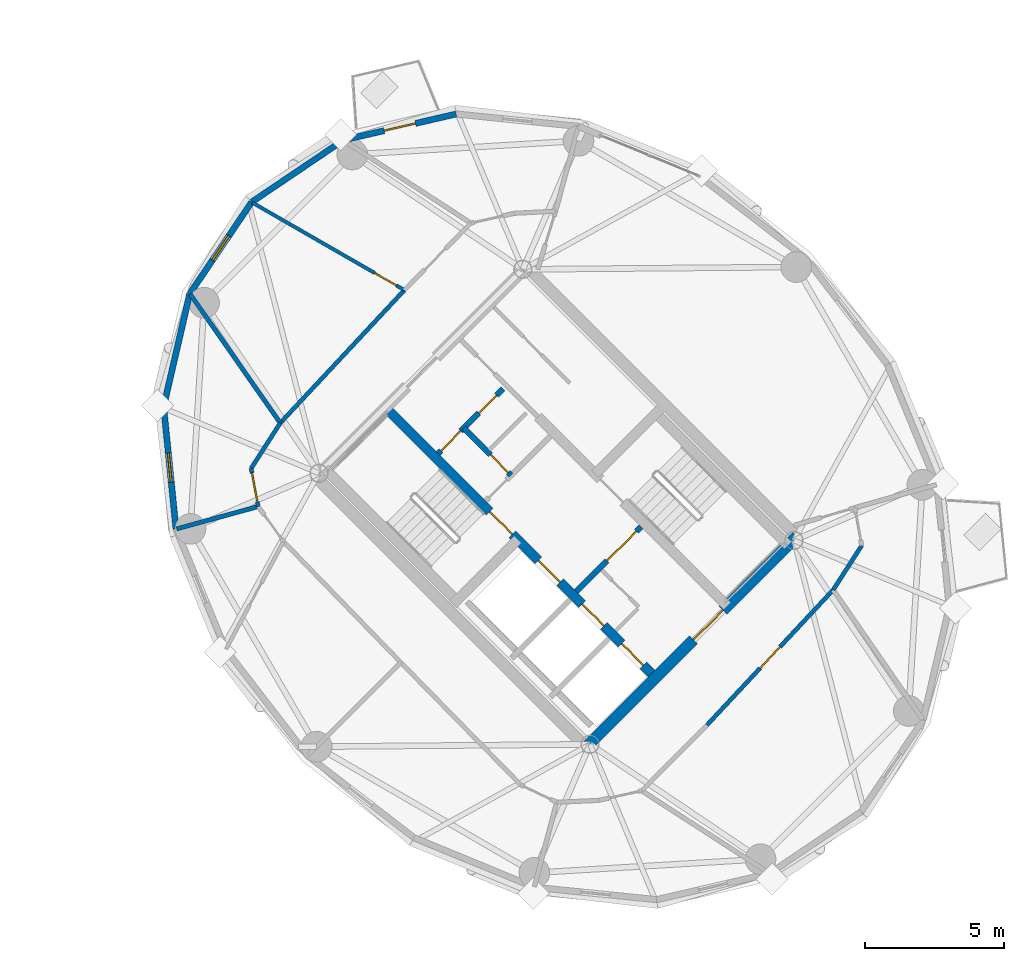
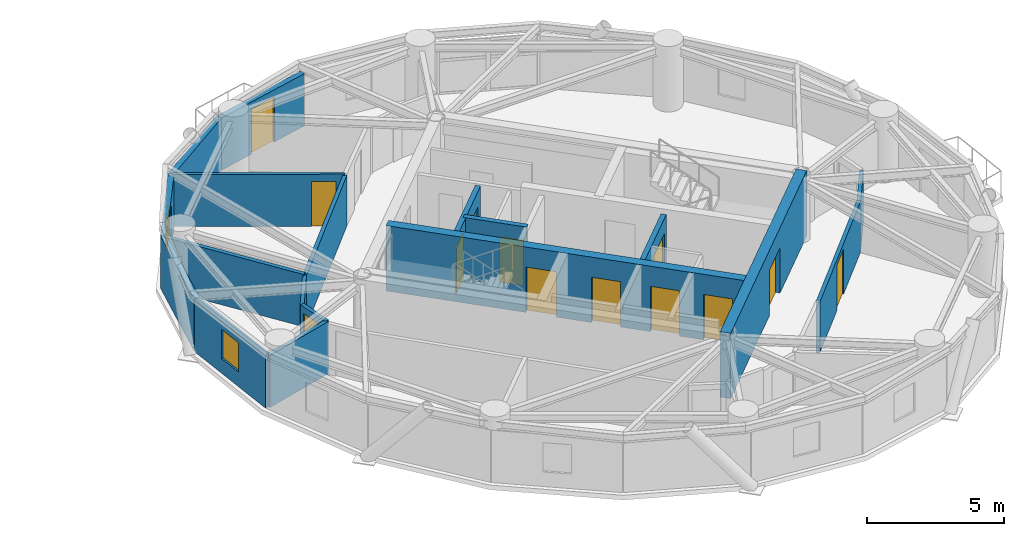
# One storey, part 11 of 16: 18 walls, 13 doors, 2 windows, 15 openings.
"""IFC4 building model written with IfcOpenShell, lengths in metres."""

from ifc_helpers import new_model, si_unit, direction, frame, frame_2d, origin, place, context, subcontext, project, spatial, rectangle, extrude, source, transform, mapped, material, layer, layer_set, type_object, element, fill, save


model = new_model("IFC4")

# Units and contexts
model_context = context("Model", 3, precision=1e-05, world=origin(), true_north=direction((0.0, 1.0)))
body_context = subcontext(model_context, "Body", "Model", "MODEL_VIEW")
ifc_project = project(units=[si_unit("LENGTHUNIT", "METRE"), si_unit("AREAUNIT", "SQUARE_METRE"), si_unit("VOLUMEUNIT", "CUBIC_METRE"), si_unit("PLANEANGLEUNIT", "RADIAN"), si_unit("MASSUNIT", "GRAM", prefix="KILO")], contexts=[model_context])

# Site, building, storey
site_placement = place(None, origin())
site = spatial("IfcSite", under=ifc_project, at=site_placement, CompositionType="ELEMENT")
building_placement = place(site_placement, origin())
building = spatial("IfcBuilding", under=site, at=building_placement, Name="Cununo Teusaquillo Station Towers", CompositionType="ELEMENT")
storey_placement = place(building_placement, frame((0.0, 0.0, 208.300048828125)))
storey = spatial("IfcBuildingStorey", under=building, at=storey_placement, Name="L66", CompositionType="ELEMENT", Elevation=208.300048828125)

# Wall, openings, doors
ifc_material_1 = material(Name="Concrete C50/60", Category="concrete")
ifc_layer_1 = layer(ifc_material_1, 0.35009765625)
ifc_layer_set_1 = layer_set([ifc_layer_1], Name="Concrete C50/60")
wall_type_1 = type_object("IfcWallType", Name="WL-CORE-350", PredefinedType="SHEAR", material=ifc_layer_set_1)
wall_1_placement = place(storey_placement, frame((61.060302734375, 18.372802734375, 0.0), z_axis=(0.0, 0.0, 1.0), x_axis=(-0.707106781187, 0.707106781187, 0.0)))
wall_1 = element("IfcWall", 1, at=wall_1_placement, inside=storey, type_object=wall_type_1, Name="L66 Tower B Core Shear Wall IW", PredefinedType="SHEAR", context=body_context, shape_type="SweptSolid", body=[
    extrude(rectangle(XDim=13.7001953125, YDim=0.35009765625, at=frame_2d((6.85009765625, 0.0))), origin(), (0.0, 0.0, 1.0), 2.909912109375),
])
shared_shape_1 = source(origin(), body_context, "Body", "SweptSolid", [
    extrude(rectangle(XDim=1.10009765625, YDim=2.014892578125, at=frame_2d((0.550048828125, 1.00732421875))), frame((0.0, 0.18505859375, 0.0), z_axis=(0.0, -1.0, 0.0), x_axis=(1.0, 0.0, 0.0)), (0.0, 0.0, 1.0), 0.3701171875),
])
opening_1_placement = place(wall_1_placement, frame((4.85009765625, 0.0, 0.0)))
opening_1 = element("IfcOpeningElement", 2, at=opening_1_placement, cuts=wall_1, Name="Opening LD-01", PredefinedType="OPENING", context=body_context, shape_type="MappedRepresentation", body=[
    mapped(shared_shape_1, transform((0.0, 0.0, 0.0), x_axis=(1.0, 0.0, 0.0), y_axis=(0.0, 1.0, 0.0), z_axis=(0.0, 0.0, 1.0), scale=1.0)),
])
opening_2_placement = place(wall_1_placement, frame((0.625, 0.0, 0.0)))
opening_2 = element("IfcOpeningElement", 3, at=opening_2_placement, cuts=wall_1, Name="Opening LD-01", PredefinedType="OPENING", context=body_context, shape_type="MappedRepresentation", body=[
    mapped(shared_shape_1, transform((0.0, 0.0, 0.0), x_axis=(1.0, 0.0, 0.0), y_axis=(0.0, 1.0, 0.0), z_axis=(0.0, 0.0, 1.0), scale=1.0)),
])
opening_3_placement = place(wall_1_placement, frame((2.625, 0.0, 0.0)))
opening_3 = element("IfcOpeningElement", 4, at=opening_3_placement, cuts=wall_1, Name="Opening LD-01", PredefinedType="OPENING", context=body_context, shape_type="MappedRepresentation", body=[
    mapped(shared_shape_1, transform((0.0, 0.0, 0.0), x_axis=(1.0, 0.0, 0.0), y_axis=(0.0, 1.0, 0.0), z_axis=(0.0, 0.0, 1.0), scale=1.0)),
])
shared_shape_2 = source(origin(), body_context, "Body", "SweptSolid", [
    extrude(rectangle(XDim=1.14990234375, YDim=2.02001953125, at=frame_2d((0.574951171875, 1.010009765625))), frame((0.0, 0.18505859375, 0.0), z_axis=(0.0, -1.0, 0.0), x_axis=(1.0, 0.0, 0.0)), (0.0, 0.0, 1.0), 0.3701171875),
])
opening_4_placement = place(wall_1_placement, frame((7.27001953125, 0.0, 0.0)))
opening_4 = element("IfcOpeningElement", 5, at=opening_4_placement, cuts=wall_1, Name="Opening D-ST1", PredefinedType="OPENING", context=body_context, shape_type="MappedRepresentation", body=[
    mapped(shared_shape_2, transform((0.0, 0.0, 0.0), x_axis=(1.0, 0.0, 0.0), y_axis=(0.0, 1.0, 0.0), z_axis=(0.0, 0.0, 1.0), scale=1.0)),
])
ifc_material_2 = material(Name="Galvanised fire-rated hollow steel door assembly", Category="steel")
door_type_1 = type_object("IfcDoorType", Name="DR-LIFT-1100", OperationType="SLIDING_TO_LEFT", PredefinedType="DOOR", material=ifc_material_2)
shared_shape_3 = source(origin(), body_context, "Body", "SweptSolid", [
    extrude(rectangle(XDim=1.10009765625, YDim=2.014892578125, at=frame_2d((0.550048828125, 1.00732421875))), frame((0.0, 0.02490234375, 0.0), z_axis=(0.0, -1.0, 0.0), x_axis=(1.0, 0.0, 0.0)), (0.0, 0.0, 1.0), 0.050048828125),
])
door_1_placement = place(opening_1_placement, origin())
door_1 = element("IfcDoor", 6, at=door_1_placement, inside=storey, type_object=door_type_1, Name="L66 Lift FL-T2 Sliding Landing Door", OperationType="SLIDING_TO_RIGHT", OverallHeight=2.014892578125, OverallWidth=1.10009765625, PredefinedType="DOOR", context=body_context, shape_type="MappedRepresentation", body=[
    mapped(shared_shape_3, transform((0.0, 0.0, 0.0), x_axis=(1.0, 0.0, 0.0), y_axis=(0.0, 1.0, 0.0), z_axis=(0.0, 0.0, 1.0), scale=1.0)),
])
fill(opening_1, door_1)
door_2_placement = place(opening_2_placement, origin())
door_2 = element("IfcDoor", 7, at=door_2_placement, inside=storey, type_object=door_type_1, Name="L66 Lift PL-T2-H1 Sliding Landing Door", OperationType="SLIDING_TO_RIGHT", OverallHeight=2.014892578125, OverallWidth=1.10009765625, PredefinedType="DOOR", context=body_context, shape_type="MappedRepresentation", body=[
    mapped(shared_shape_3, transform((0.0, 0.0, 0.0), x_axis=(1.0, 0.0, 0.0), y_axis=(0.0, 1.0, 0.0), z_axis=(0.0, 0.0, 1.0), scale=1.0)),
])
fill(opening_2, door_2)
door_3_placement = place(opening_3_placement, origin())
door_3 = element("IfcDoor", 8, at=door_3_placement, inside=storey, type_object=door_type_1, Name="L66 Lift PL-T2-H2 Sliding Landing Door", OperationType="SLIDING_TO_LEFT", OverallHeight=2.014892578125, OverallWidth=1.10009765625, PredefinedType="DOOR", context=body_context, shape_type="MappedRepresentation", body=[
    mapped(shared_shape_3, transform((0.0, 0.0, 0.0), x_axis=(1.0, 0.0, 0.0), y_axis=(0.0, 1.0, 0.0), z_axis=(0.0, 0.0, 1.0), scale=1.0)),
])
fill(opening_3, door_3)
ifc_material_3 = material(Name="Galvanised fire-rated hollow steel door assembly", Category="steel")
door_type_2 = type_object("IfcDoorType", Name="DR-STAIR-1150", OperationType="NOTDEFINED", PredefinedType="DOOR", material=ifc_material_3)
shared_shape_4 = source(origin(), body_context, "Body", "SweptSolid", [
    extrude(rectangle(XDim=1.14990234375, YDim=2.02001953125, at=frame_2d((0.574951171875, 1.010009765625))), frame((0.0, 0.02490234375, 0.0), z_axis=(0.0, -1.0, 0.0), x_axis=(1.0, 0.0, 0.0)), (0.0, 0.0, 1.0), 0.050048828125),
])
door_4_placement = place(opening_4_placement, origin())
door_4 = element("IfcDoor", 9, at=door_4_placement, inside=storey, type_object=door_type_2, Name="L66 Tower B Exit Stair 1 Fire Door", OperationType="SINGLE_SWING_LEFT", OverallHeight=2.02001953125, OverallWidth=1.14990234375, PredefinedType="DOOR", context=body_context, shape_type="MappedRepresentation", body=[
    mapped(shared_shape_4, transform((0.0, 0.0, 0.0), x_axis=(1.0, 0.0, 0.0), y_axis=(0.0, 1.0, 0.0), z_axis=(0.0, 0.0, 1.0), scale=1.0)),
])
fill(opening_4, door_4)

# Wall, opening, door
ifc_material_4 = material(Name="Concrete C50/60", Category="concrete")
ifc_layer_2 = layer(ifc_material_4, 0.39990234375)
ifc_layer_set_2 = layer_set([ifc_layer_2], Name="Concrete C50/60")
wall_type_2 = type_object("IfcWallType", Name="WL-CORE-400", PredefinedType="SHEAR", material=ifc_layer_set_2)
wall_2_placement = place(storey_placement, frame((58.560791015625, 15.873291015625, 0.0), z_axis=(0.0, 0.0, 1.0), x_axis=(0.707106781187, 0.707106781187, 0.0)))
wall_2 = element("IfcWall", 10, at=wall_2_placement, inside=storey, type_object=wall_type_2, Name="L66 Tower B Core Shear Wall S", PredefinedType="SHEAR", context=body_context, shape_type="SweptSolid", body=[
    extrude(rectangle(XDim=10.69970703125, YDim=0.39990234375, at=frame_2d((5.349853515625, 0.0))), origin(), (0.0, 0.0, 1.0), 2.909912109375),
])
shared_shape_5 = source(origin(), body_context, "Body", "SweptSolid", [
    extrude(rectangle(XDim=1.5, YDim=2.02001953125, at=frame_2d((0.75, 1.010009765625))), frame((0.0, 0.2099609375, 0.0), z_axis=(0.0, -1.0, 0.0), x_axis=(1.0, 0.0, 0.0)), (0.0, 0.0, 1.0), 0.419921875),
])
opening_5_placement = place(wall_2_placement, frame((5.449951171875, 0.0, 0.0)))
opening_5 = element("IfcOpeningElement", 11, at=opening_5_placement, cuts=wall_2, Name="Opening D-LB1", PredefinedType="OPENING", context=body_context, shape_type="MappedRepresentation", body=[
    mapped(shared_shape_5, transform((0.0, 0.0, 0.0), x_axis=(1.0, 0.0, 0.0), y_axis=(0.0, 1.0, 0.0), z_axis=(0.0, 0.0, 1.0), scale=1.0)),
])
ifc_material_5 = material(Name="Galvanised fire-rated hollow steel door assembly", Category="steel")
door_type_3 = type_object("IfcDoorType", Name="DR-LOBBY-1500", OperationType="DOUBLE_DOOR_SINGLE_SWING", PredefinedType="DOOR", material=ifc_material_5)
shared_shape_6 = source(origin(), body_context, "Body", "SweptSolid", [
    extrude(rectangle(XDim=1.5, YDim=2.02001953125, at=frame_2d((0.75, 1.010009765625))), frame((0.0, 0.02490234375, 0.0), z_axis=(0.0, -1.0, 0.0), x_axis=(1.0, 0.0, 0.0)), (0.0, 0.0, 1.0), 0.050048828125),
])
door_5_placement = place(opening_5_placement, origin())
door_5 = element("IfcDoor", 12, at=door_5_placement, inside=storey, type_object=door_type_3, Name="L66 Tower B South Core Lift Lobby Door", OperationType="DOUBLE_DOOR_SINGLE_SWING", OverallHeight=2.02001953125, OverallWidth=1.5, PredefinedType="DOOR", context=body_context, shape_type="MappedRepresentation", body=[
    mapped(shared_shape_6, transform((0.0, 0.0, 0.0), x_axis=(1.0, 0.0, 0.0), y_axis=(0.0, 1.0, 0.0), z_axis=(0.0, 0.0, 1.0), scale=1.0)),
])
fill(opening_5, door_5)

ifc_material_6 = material(Name="Precast concrete C40/50", Category="concrete")
ifc_layer_3 = layer(ifc_material_6, 0.219970703125)
ifc_layer_set_3 = layer_set([ifc_layer_3], Name="Precast concrete C40/50")
wall_type_3 = type_object("IfcWallType", Name="WL-EXT-220", PredefinedType="SOLIDWALL", material=ifc_layer_set_3)
wall_3_placement = place(storey_placement, frame((49.856201171875, 37.663330078125, 0.0), z_axis=(0.0, 0.0, 1.0), x_axis=(0.974249228678, 0.225473813158, 0.0)))
wall_3 = element("IfcWall", 13, at=wall_3_placement, inside=storey, type_object=wall_type_3, Name="L66 Tower B Exterior Facade Wall C03", PredefinedType="SOLIDWALL", context=body_context, shape_type="SweptSolid", body=[
    extrude(rectangle(XDim=4.150390625, YDim=0.219970703125, at=frame_2d((2.0751953125, 0.0))), origin(), (0.0, 0.0, 1.0), 2.322021484375),
])
shared_shape_7 = source(origin(), body_context, "Body", "SweptSolid", [
    extrude(rectangle(XDim=1.14990234375, YDim=2.0048828125, at=frame_2d((0.574951171875, 1.00244140625))), frame((0.0, 0.119873046875, 0.0), z_axis=(0.0, -1.0, 0.0), x_axis=(1.0, 0.0, 0.0)), (0.0, 0.0, 1.0), 0.239990234375),
])
opening_6_placement = place(wall_3_placement, frame((1.5, 0.0, 0.0)))
opening_6 = element("IfcOpeningElement", 14, at=opening_6_placement, cuts=wall_3, Name="Opening ED-03", PredefinedType="OPENING", context=body_context, shape_type="MappedRepresentation", body=[
    mapped(shared_shape_7, transform((0.0, 0.0, 0.0), x_axis=(1.0, 0.0, 0.0), y_axis=(0.0, 1.0, 0.0), z_axis=(0.0, 0.0, 1.0), scale=1.0)),
])
ifc_material_7 = material(Name="Anodised dark bronze aluminium EN AW-6063-T6", Category="aluminium")
door_type_4 = type_object("IfcDoorType", Name="DR-EXT-BAL", OperationType="NOTDEFINED", PredefinedType="DOOR", material=ifc_material_7)
shared_shape_8 = source(origin(), body_context, "Body", "SweptSolid", [
    extrude(rectangle(XDim=1.14990234375, YDim=2.0048828125, at=frame_2d((0.574951171875, 1.00244140625))), frame((0.0, 0.02490234375, 0.0), z_axis=(0.0, -1.0, 0.0), x_axis=(1.0, 0.0, 0.0)), (0.0, 0.0, 1.0), 0.050048828125),
])
door_6_placement = place(opening_6_placement, origin())
door_6 = element("IfcDoor", 15, at=door_6_placement, inside=storey, type_object=door_type_4, Name="L66 Tower B Tree Balcony Door C03", OperationType="SINGLE_SWING_LEFT", OverallHeight=2.0048828125, OverallWidth=1.14990234375, PredefinedType="DOOR", context=body_context, shape_type="MappedRepresentation", body=[
    mapped(shared_shape_8, transform((0.0, 0.0, 0.0), x_axis=(1.0, 0.0, 0.0), y_axis=(0.0, 1.0, 0.0), z_axis=(0.0, 0.0, 1.0), scale=1.0)),
])
fill(opening_6, door_6)

# Wall
wall_4_placement = place(storey_placement, frame((46.56103515625, 35.43896484375, 0.0), z_axis=(0.0, 0.0, 1.0), x_axis=(0.828833723692, 0.559495003079, 0.0)))
element("IfcWall", 16, at=wall_4_placement, inside=storey, type_object=wall_type_3, Name="L66 Tower B Exterior Facade Wall C04", PredefinedType="SOLIDWALL", context=body_context, shape_type="SweptSolid", body=[
    extrude(rectangle(XDim=3.9755859375, YDim=0.219970703125, at=frame_2d((1.98779296875, 0.0))), origin(), (0.0, 0.0, 1.0), 2.322021484375),
])

# Wall, opening, window
wall_5_placement = place(storey_placement, frame((44.336669921875, 32.143798828125, 0.0), z_axis=(0.0, 0.0, 1.0), x_axis=(0.559495003079, 0.828833723692, 0.0)))
wall_5 = element("IfcWall", 17, at=wall_5_placement, inside=storey, type_object=wall_type_3, Name="L66 Tower B Exterior Facade Wall C05", PredefinedType="SOLIDWALL", context=body_context, shape_type="SweptSolid", body=[
    extrude(rectangle(XDim=3.9755859375, YDim=0.219970703125, at=frame_2d((1.98779296875, 0.0))), origin(), (0.0, 0.0, 1.0), 2.322021484375),
])
shared_shape_9 = source(origin(), body_context, "Body", "SweptSolid", [
    extrude(rectangle(XDim=1.050048828125, YDim=1.300048828125, at=frame_2d((0.52490234375, 0.64990234375))), frame((0.0, 0.119873046875, 0.0), z_axis=(0.0, -1.0, 0.0), x_axis=(1.0, 0.0, 0.0)), (0.0, 0.0, 1.0), 0.239990234375),
])
opening_7_placement = place(wall_5_placement, frame((1.462890625, 0.0, 0.64990234375)))
opening_7 = element("IfcOpeningElement", 18, at=opening_7_placement, cuts=wall_5, Name="Opening WN-04", PredefinedType="OPENING", context=body_context, shape_type="MappedRepresentation", body=[
    mapped(shared_shape_9, transform((0.0, 0.0, 0.0), x_axis=(1.0, 0.0, 0.0), y_axis=(0.0, 1.0, 0.0), z_axis=(0.0, 0.0, 1.0), scale=1.0)),
])
ifc_material_8 = material(Name="Operable acoustic tinted low-E double glazing", Category="glass")
window_type = type_object("IfcWindowType", Name="WIN-BAL-1050", PartitioningType="SINGLE_PANEL", PredefinedType="WINDOW", material=ifc_material_8)
shared_shape_10 = source(origin(), body_context, "Body", "SweptSolid", [
    extrude(rectangle(XDim=1.050048828125, YDim=1.300048828125, at=frame_2d((0.52490234375, 0.64990234375))), frame((0.0, 0.030029296875, 0.0), z_axis=(0.0, -1.0, 0.0), x_axis=(1.0, 0.0, 0.0)), (0.0, 0.0, 1.0), 0.06005859375),
])
window_1_placement = place(opening_7_placement, origin())
window_1 = element("IfcWindow", 19, at=window_1_placement, inside=storey, type_object=window_type, Name="L66 Tower B Facade Window C05", OverallHeight=1.300048828125, OverallWidth=1.050048828125, PartitioningType="SINGLE_PANEL", PredefinedType="WINDOW", context=body_context, shape_type="MappedRepresentation", body=[
    mapped(shared_shape_10, transform((0.0, 0.0, 0.0), x_axis=(1.0, 0.0, 0.0), y_axis=(0.0, 1.0, 0.0), z_axis=(0.0, 0.0, 1.0), scale=1.0)),
])
fill(opening_7, window_1)

# Wall
wall_6_placement = place(storey_placement, frame((43.40087890625, 28.100341796875, 0.0), z_axis=(0.0, 0.0, 1.0), x_axis=(0.225473813158, 0.974249228678, 0.0)))
element("IfcWall", 20, at=wall_6_placement, inside=storey, type_object=wall_type_3, Name="L66 Tower B Exterior Facade Wall C06", PredefinedType="SOLIDWALL", context=body_context, shape_type="SweptSolid", body=[
    extrude(rectangle(XDim=4.150390625, YDim=0.219970703125, at=frame_2d((2.0751953125, 0.0))), origin(), (0.0, 0.0, 1.0), 2.322021484375),
])

# Wall, opening, window
wall_7_placement = place(storey_placement, frame((43.84521484375, 23.70458984375, 0.0), z_axis=(0.0, 0.0, 1.0), x_axis=(-0.100570534541, 0.994929930991, 0.0)))
wall_7 = element("IfcWall", 21, at=wall_7_placement, inside=storey, type_object=wall_type_3, Name="L66 Tower B Exterior Facade Wall C07", PredefinedType="SOLIDWALL", context=body_context, shape_type="SweptSolid", body=[
    extrude(rectangle(XDim=4.418212890625, YDim=0.219970703125, at=frame_2d((2.208984375, 0.0))), origin(), (0.0, 0.0, 1.0), 2.322021484375),
])
opening_8_placement = place(wall_7_placement, frame((1.68408203125, 0.0, 0.64990234375)))
opening_8 = element("IfcOpeningElement", 22, at=opening_8_placement, cuts=wall_7, Name="Opening WN-04", PredefinedType="OPENING", context=body_context, shape_type="MappedRepresentation", body=[
    mapped(shared_shape_9, transform((0.0, 0.0, 0.0), x_axis=(1.0, 0.0, 0.0), y_axis=(0.0, 1.0, 0.0), z_axis=(0.0, 0.0, 1.0), scale=1.0)),
])
window_2_placement = place(opening_8_placement, origin())
window_2 = element("IfcWindow", 23, at=window_2_placement, inside=storey, type_object=window_type, Name="L66 Tower B Facade Window C07", OverallHeight=1.300048828125, OverallWidth=1.050048828125, PartitioningType="SINGLE_PANEL", PredefinedType="WINDOW", context=body_context, shape_type="MappedRepresentation", body=[
    mapped(shared_shape_10, transform((0.0, 0.0, 0.0), x_axis=(1.0, 0.0, 0.0), y_axis=(0.0, 1.0, 0.0), z_axis=(0.0, 0.0, 1.0), scale=1.0)),
])
fill(opening_8, window_2)

# Wall, opening, door
ifc_material_9 = material(Name="Fire-rated gypsum plasterboard partition assembly", Category="gypsum")
ifc_layer_4 = layer(ifc_material_9, 0.125)
ifc_layer_set_4 = layer_set([ifc_layer_4], Name="Fire-rated gypsum plasterboard partition assembly")
wall_type_4 = type_object("IfcWallType", Name="WL-PART-125", PredefinedType="PARTITIONING", material=ifc_layer_set_4)
wall_8_placement = place(storey_placement, frame((52.04345703125, 32.27978515625, 0.0), z_axis=(0.0, 0.0, 1.0), x_axis=(-0.866853616581, 0.498562741709, 0.0)))
wall_8 = element("IfcWall", 24, at=wall_8_placement, inside=storey, type_object=wall_type_4, Name="L66 Tower B International Arbitration Salon Suite Subdividing Wall", PredefinedType="PARTITIONING", context=body_context, shape_type="SweptSolid", body=[
    extrude(rectangle(XDim=6.30810546875, YDim=0.125, at=frame_2d((3.154052734375, 0.0))), origin(), (0.0, 0.0, 1.0), 2.322021484375),
])
shared_shape_11 = source(origin(), body_context, "Body", "SweptSolid", [
    extrude(rectangle(XDim=0.89990234375, YDim=2.0048828125, at=frame_2d((0.449951171875, 1.00244140625))), frame((0.0, 0.072509765625, 0.0), z_axis=(0.0, -1.0, 0.0), x_axis=(1.0, 0.0, 0.0)), (0.0, 0.0, 1.0), 0.14501953125),
])
opening_9_placement = place(wall_8_placement, frame((0.330078125, 0.0, 0.0)))
opening_9 = element("IfcOpeningElement", 25, at=opening_9_placement, cuts=wall_8, Name="Opening D-IN1", PredefinedType="OPENING", context=body_context, shape_type="MappedRepresentation", body=[
    mapped(shared_shape_11, transform((0.0, 0.0, 0.0), x_axis=(1.0, 0.0, 0.0), y_axis=(0.0, 1.0, 0.0), z_axis=(0.0, 0.0, 1.0), scale=1.0)),
])
ifc_material_10 = material(Name="Acoustic solid-core hardwood leaf assembly", Category="wood")
door_type_5 = type_object("IfcDoorType", Name="DR-INT-900", OperationType="NOTDEFINED", PredefinedType="DOOR", material=ifc_material_10)
shared_shape_12 = source(origin(), body_context, "Body", "SweptSolid", [
    extrude(rectangle(XDim=0.89990234375, YDim=2.0048828125, at=frame_2d((0.449951171875, 1.00244140625))), frame((0.0, 0.02490234375, 0.0), z_axis=(0.0, -1.0, 0.0), x_axis=(1.0, 0.0, 0.0)), (0.0, 0.0, 1.0), 0.050048828125),
])
door_7_placement = place(opening_9_placement, origin())
door_7 = element("IfcDoor", 26, at=door_7_placement, inside=storey, type_object=door_type_5, Name="L66 Tower B International Arbitration Salon Suite Connecting Door", OperationType="SINGLE_SWING_RIGHT", OverallHeight=2.0048828125, OverallWidth=0.89990234375, PredefinedType="DOOR", context=body_context, shape_type="MappedRepresentation", body=[
    mapped(shared_shape_12, transform((0.0, 0.0, 0.0), x_axis=(1.0, 0.0, 0.0), y_axis=(0.0, 1.0, 0.0), z_axis=(0.0, 0.0, 1.0), scale=1.0)),
])
fill(opening_9, door_7)

# Walls
ifc_material_11 = material(Name="Fire-rated gypsum plasterboard partition assembly", Category="gypsum")
ifc_layer_5 = layer(ifc_material_11, 0.14990234375)
ifc_layer_set_5 = layer_set([ifc_layer_5], Name="Fire-rated gypsum plasterboard partition assembly")
wall_type_5 = type_object("IfcWallType", Name="WL-PART-150", PredefinedType="PARTITIONING", material=ifc_layer_set_5)
wall_9_placement = place(storey_placement, frame((52.04345703125, 32.27978515625, 0.0), z_axis=(0.0, 0.0, 1.0), x_axis=(-0.682606081633, -0.730786519661, 0.0)))
element("IfcWall", 27, at=wall_9_placement, inside=storey, type_object=wall_type_5, Name="L66 Tower B Corridor Ring Wall C05", PredefinedType="PARTITIONING", context=body_context, shape_type="SweptSolid", body=[
    extrude(rectangle(XDim=6.526611328125, YDim=0.14990234375, at=frame_2d((3.26318359375, 0.0))), origin(), (0.0, 0.0, 1.0), 2.2548828125),
])
wall_10_placement = place(storey_placement, frame((47.58837890625, 27.51025390625, 0.0), z_axis=(0.0, 0.0, 1.0), x_axis=(-0.540202619347, -0.841534984449, 0.0)))
element("IfcWall", 28, at=wall_10_placement, inside=storey, type_object=wall_type_5, Name="L66 Tower B Corridor Ring Wall C06", PredefinedType="PARTITIONING", context=body_context, shape_type="SweptSolid", body=[
    extrude(rectangle(XDim=1.934814453125, YDim=0.14990234375, at=frame_2d((0.96728515625, 0.0))), origin(), (0.0, 0.0, 1.0), 2.2548828125),
])

# Wall, opening, door
wall_11_placement = place(storey_placement, frame((46.543212890625, 25.882080078125, 0.0), z_axis=(0.0, 0.0, 1.0), x_axis=(0.181153502579, -0.983454832976, 0.0)))
wall_11 = element("IfcWall", 29, at=wall_11_placement, inside=storey, type_object=wall_type_5, Name="L66 Tower B Corridor Ring Wall C07", PredefinedType="PARTITIONING", context=body_context, shape_type="SweptSolid", body=[
    extrude(rectangle(XDim=1.39208984375, YDim=0.14990234375, at=frame_2d((0.696044921875, 0.0))), origin(), (0.0, 0.0, 1.0), 2.322021484375),
])
shared_shape_13 = source(origin(), body_context, "Body", "SweptSolid", [
    extrude(rectangle(XDim=1.050048828125, YDim=2.014892578125, at=frame_2d((0.52490234375, 1.00732421875))), frame((0.0, 0.0849609375, 0.0), z_axis=(0.0, -1.0, 0.0), x_axis=(1.0, 0.0, 0.0)), (0.0, 0.0, 1.0), 0.169921875),
])
opening_10_placement = place(wall_11_placement, frame((0.1708984375, 0.0, 0.0)))
opening_10 = element("IfcOpeningElement", 30, at=opening_10_placement, cuts=wall_11, Name="Opening D-SU1", PredefinedType="OPENING", context=body_context, shape_type="MappedRepresentation", body=[
    mapped(shared_shape_13, transform((0.0, 0.0, 0.0), x_axis=(1.0, 0.0, 0.0), y_axis=(0.0, 1.0, 0.0), z_axis=(0.0, 0.0, 1.0), scale=1.0)),
])
ifc_material_12 = material(Name="Acoustic solid-core hardwood leaf assembly", Category="wood")
door_type_6 = type_object("IfcDoorType", Name="DR-SUITE-1050", OperationType="NOTDEFINED", PredefinedType="DOOR", material=ifc_material_12)
shared_shape_14 = source(origin(), body_context, "Body", "SweptSolid", [
    extrude(rectangle(XDim=1.050048828125, YDim=2.014892578125, at=frame_2d((0.52490234375, 1.00732421875))), frame((0.0, 0.02490234375, 0.0), z_axis=(0.0, -1.0, 0.0), x_axis=(1.0, 0.0, 0.0)), (0.0, 0.0, 1.0), 0.050048828125),
])
door_8_placement = place(opening_10_placement, origin())
door_8 = element("IfcDoor", 31, at=door_8_placement, inside=storey, type_object=door_type_6, Name="L66 Tower B Senior Counsel Office Entrance Door", OperationType="SINGLE_SWING_LEFT", OverallHeight=2.014892578125, OverallWidth=1.050048828125, PredefinedType="DOOR", context=body_context, shape_type="MappedRepresentation", body=[
    mapped(shared_shape_14, transform((0.0, 0.0, 0.0), x_axis=(1.0, 0.0, 0.0), y_axis=(0.0, 1.0, 0.0), z_axis=(0.0, 0.0, 1.0), scale=1.0)),
])
fill(opening_10, door_8)

wall_12_placement = place(storey_placement, frame((62.902587890625, 16.66650390625, 0.0), z_axis=(0.0, 0.0, 1.0), x_axis=(0.682371947497, 0.731005147225, 0.0)))
wall_12 = element("IfcWall", 32, at=wall_12_placement, inside=storey, type_object=wall_type_5, Name="L66 Tower B Corridor Ring Wall C15", PredefinedType="PARTITIONING", context=body_context, shape_type="SweptSolid", body=[
    extrude(rectangle(XDim=6.6416015625, YDim=0.14990234375, at=frame_2d((3.32080078125, 0.0))), origin(), (0.0, 0.0, 1.0), 2.2548828125),
])
opening_11_placement = place(wall_12_placement, frame((2.7958984375, 0.0, 0.0)))
opening_11 = element("IfcOpeningElement", 33, at=opening_11_placement, cuts=wall_12, Name="Opening D-SU1", PredefinedType="OPENING", context=body_context, shape_type="MappedRepresentation", body=[
    mapped(shared_shape_13, transform((0.0, 0.0, 0.0), x_axis=(1.0, 0.0, 0.0), y_axis=(0.0, 1.0, 0.0), z_axis=(0.0, 0.0, 1.0), scale=1.0)),
])
door_9_placement = place(opening_11_placement, origin())
door_9 = element("IfcDoor", 34, at=door_9_placement, inside=storey, type_object=door_type_6, Name="L66 Tower B Protocol Archive Room Entrance Door", OperationType="SINGLE_SWING_RIGHT", OverallHeight=2.014892578125, OverallWidth=1.050048828125, PredefinedType="DOOR", context=body_context, shape_type="MappedRepresentation", body=[
    mapped(shared_shape_14, transform((0.0, 0.0, 0.0), x_axis=(1.0, 0.0, 0.0), y_axis=(0.0, 1.0, 0.0), z_axis=(0.0, 0.0, 1.0), scale=1.0)),
])
fill(opening_11, door_9)

# Walls
wall_13_placement = place(storey_placement, frame((67.4345703125, 21.521484375, 0.0), z_axis=(0.0, 0.0, 1.0), x_axis=(0.540777197838, 0.841165870859, 0.0)))
element("IfcWall", 35, at=wall_13_placement, inside=storey, type_object=wall_type_5, Name="L66 Tower B Corridor Ring Wall C16", PredefinedType="PARTITIONING", context=body_context, shape_type="SweptSolid", body=[
    extrude(rectangle(XDim=1.887939453125, YDim=0.14990234375, at=frame_2d((0.94384765625, 0.0))), origin(), (0.0, 0.0, 1.0), 2.2548828125),
])
ifc_material_13 = material(Name="Fire-rated gypsum plasterboard partition assembly", Category="gypsum")
ifc_layer_6 = layer(ifc_material_13, 0.159912109375)
ifc_layer_set_6 = layer_set([ifc_layer_6], Name="Fire-rated gypsum plasterboard partition assembly")
wall_type_6 = type_object("IfcWallType", Name="WL-PART-160", PredefinedType="PARTITIONING", material=ifc_layer_set_6)
wall_14_placement = place(storey_placement, frame((47.58837890625, 27.51025390625, 0.0), z_axis=(0.0, 0.0, 1.0), x_axis=(-0.573073195236, 0.819504187239, 0.0)))
element("IfcWall", 36, at=wall_14_placement, inside=storey, type_object=wall_type_6, Name="L66 Tower B Radial Suite Partition R03", PredefinedType="PARTITIONING", context=body_context, shape_type="SweptSolid", body=[
    extrude(rectangle(XDim=5.64306640625, YDim=0.159912109375, at=frame_2d((2.821533203125, 0.0))), origin(), (0.0, 0.0, 1.0), 2.322021484375),
])
wall_15_placement = place(storey_placement, frame((46.79541015625, 24.512939453125, 0.0), z_axis=(0.0, 0.0, 1.0), x_axis=(-0.964263392178, -0.264945485912, 0.0)))
element("IfcWall", 37, at=wall_15_placement, inside=storey, type_object=wall_type_6, Name="L66 Tower B Radial Suite Partition R04", PredefinedType="PARTITIONING", context=body_context, shape_type="SweptSolid", body=[
    extrude(rectangle(XDim=3.0390625, YDim=0.159912109375, at=frame_2d((1.51953125, 0.0))), origin(), (0.0, 0.0, 1.0), 2.322021484375),
])

# Wall, opening, door
ifc_material_14 = material(Name="Fire-rated gypsum plasterboard partition assembly", Category="gypsum")
ifc_layer_7 = layer(ifc_material_14, 0.199951171875)
ifc_layer_set_7 = layer_set([ifc_layer_7], Name="Fire-rated gypsum plasterboard partition assembly")
wall_type_7 = type_object("IfcWallType", Name="WL-PART-200", PredefinedType="PARTITIONING", material=ifc_layer_set_7)
wall_16_placement = place(storey_placement, frame((58.214111328125, 21.466552734375, 0.0), z_axis=(0.0, 0.0, 1.0), x_axis=(0.707106781187, 0.707106781187, 0.0)))
wall_16 = element("IfcWall", 38, at=wall_16_placement, inside=storey, type_object=wall_type_7, Name="L66 Tower B Firefighting Lift Lobby South Fire Wall", PredefinedType="PARTITIONING", context=body_context, shape_type="SweptSolid", body=[
    extrude(rectangle(XDim=3.280029296875, YDim=0.199951171875, at=frame_2d((1.64013671875, 0.0))), origin(), (0.0, 0.0, 1.0), 2.68505859375),
])
shared_shape_15 = source(origin(), body_context, "Body", "SweptSolid", [
    extrude(rectangle(XDim=1.5, YDim=2.02001953125, at=frame_2d((0.75, 1.010009765625))), frame((0.0, 0.10986328125, 0.0), z_axis=(0.0, -1.0, 0.0), x_axis=(1.0, 0.0, 0.0)), (0.0, 0.0, 1.0), 0.219970703125),
])
opening_12_placement = place(wall_16_placement, frame((1.550048828125, 0.0, 0.0)))
opening_12 = element("IfcOpeningElement", 39, at=opening_12_placement, cuts=wall_16, Name="Opening D-LB1", PredefinedType="OPENING", context=body_context, shape_type="MappedRepresentation", body=[
    mapped(shared_shape_15, transform((0.0, 0.0, 0.0), x_axis=(1.0, 0.0, 0.0), y_axis=(0.0, 1.0, 0.0), z_axis=(0.0, 0.0, 1.0), scale=1.0)),
])
door_10_placement = place(opening_12_placement, origin())
door_10 = element("IfcDoor", 40, at=door_10_placement, inside=storey, type_object=door_type_3, Name="L66 Tower B Firefighting Lift Lobby South Fire Door", OperationType="DOUBLE_DOOR_SINGLE_SWING", OverallHeight=2.02001953125, OverallWidth=1.5, PredefinedType="DOOR", context=body_context, shape_type="MappedRepresentation", body=[
    mapped(shared_shape_6, transform((0.0, 0.0, 0.0), x_axis=(1.0, 0.0, 0.0), y_axis=(0.0, 1.0, 0.0), z_axis=(0.0, 0.0, 1.0), scale=1.0)),
])
fill(opening_12, door_10)

wall_17_placement = place(storey_placement, frame((55.873779296875, 25.63134765625, 0.0), z_axis=(0.0, 0.0, 1.0), x_axis=(-0.707157639372, 0.707055919343, 0.0)))
wall_17 = element("IfcWall", 41, at=wall_17_placement, inside=storey, type_object=wall_type_7, Name="L66 Tower B Stair 1 Vestibule Partition Wall", PredefinedType="PARTITIONING", context=body_context, shape_type="SweptSolid", body=[
    extrude(rectangle(XDim=2.400146484375, YDim=0.199951171875, at=frame_2d((1.2001953125, 0.0))), origin(), (0.0, 0.0, 1.0), 2.68505859375),
])
shared_shape_16 = source(origin(), body_context, "Body", "SweptSolid", [
    extrude(rectangle(XDim=0.89990234375, YDim=2.0048828125, at=frame_2d((0.449951171875, 1.00244140625))), frame((0.0, 0.10986328125, 0.0), z_axis=(0.0, -1.0, 0.0), x_axis=(1.0, 0.0, 0.0)), (0.0, 0.0, 1.0), 0.219970703125),
])
opening_13_placement = place(wall_17_placement, frame((0.139892578125, 0.0, 0.0)))
opening_13 = element("IfcOpeningElement", 42, at=opening_13_placement, cuts=wall_17, Name="Opening D-SR1", PredefinedType="OPENING", context=body_context, shape_type="MappedRepresentation", body=[
    mapped(shared_shape_16, transform((0.0, 0.0, 0.0), x_axis=(1.0, 0.0, 0.0), y_axis=(0.0, 1.0, 0.0), z_axis=(0.0, 0.0, 1.0), scale=1.0)),
])
ifc_material_15 = material(Name="Galvanised fire-rated hollow steel door assembly", Category="steel")
door_type_7 = type_object("IfcDoorType", Name="DR-STORE-900", OperationType="NOTDEFINED", PredefinedType="DOOR", material=ifc_material_15)
door_11_placement = place(opening_13_placement, origin())
door_11 = element("IfcDoor", 43, at=door_11_placement, inside=storey, type_object=door_type_7, Name="L66 Tower B Core Linen Store Door", OperationType="SINGLE_SWING_RIGHT", OverallHeight=2.0048828125, OverallWidth=0.89990234375, PredefinedType="DOOR", context=body_context, shape_type="MappedRepresentation", body=[
    mapped(shared_shape_12, transform((0.0, 0.0, 0.0), x_axis=(1.0, 0.0, 0.0), y_axis=(0.0, 1.0, 0.0), z_axis=(0.0, 0.0, 1.0), scale=1.0)),
])
fill(opening_13, door_11)

# Wall, openings, doors
wall_18_placement = place(storey_placement, frame((53.264404296875, 26.416259765625, 0.0), z_axis=(0.0, 0.0, 1.0), x_axis=(0.707106781187, 0.707106781187, 0.0)))
wall_18 = element("IfcWall", 44, at=wall_18_placement, inside=storey, type_object=wall_type_7, Name="L66 Tower B North Lift Lobby South Fire Wall", PredefinedType="PARTITIONING", context=body_context, shape_type="SweptSolid", body=[
    extrude(rectangle(XDim=3.280029296875, YDim=0.199951171875, at=frame_2d((1.64013671875, 0.0))), origin(), (0.0, 0.0, 1.0), 2.68505859375),
])
shared_shape_17 = source(origin(), body_context, "Body", "SweptSolid", [
    extrude(rectangle(XDim=1.0, YDim=2.014892578125, at=frame_2d((0.5, 1.00732421875))), frame((0.0, 0.10986328125, 0.0), z_axis=(0.0, -1.0, 0.0), x_axis=(1.0, 0.0, 0.0)), (0.0, 0.0, 1.0), 0.219970703125),
])
opening_14_placement = place(wall_18_placement, frame((0.139892578125, 0.0, 0.0)))
opening_14 = element("IfcOpeningElement", 45, at=opening_14_placement, cuts=wall_18, Name="Opening D-AC1", PredefinedType="OPENING", context=body_context, shape_type="MappedRepresentation", body=[
    mapped(shared_shape_17, transform((0.0, 0.0, 0.0), x_axis=(1.0, 0.0, 0.0), y_axis=(0.0, 1.0, 0.0), z_axis=(0.0, 0.0, 1.0), scale=1.0)),
])
opening_15_placement = place(wall_18_placement, frame((2.050048828125, 0.0, 0.0)))
opening_15 = element("IfcOpeningElement", 46, at=opening_15_placement, cuts=wall_18, Name="Opening D-SR1", PredefinedType="OPENING", context=body_context, shape_type="MappedRepresentation", body=[
    mapped(shared_shape_16, transform((0.0, 0.0, 0.0), x_axis=(1.0, 0.0, 0.0), y_axis=(0.0, 1.0, 0.0), z_axis=(0.0, 0.0, 1.0), scale=1.0)),
])
door_12_placement = place(opening_15_placement, origin())
door_12 = element("IfcDoor", 47, at=door_12_placement, inside=storey, type_object=door_type_7, Name="L66 Tower B Core Comms Room Door", OperationType="SINGLE_SWING_LEFT", OverallHeight=2.0048828125, OverallWidth=0.89990234375, PredefinedType="DOOR", context=body_context, shape_type="MappedRepresentation", body=[
    mapped(shared_shape_12, transform((0.0, 0.0, 0.0), x_axis=(1.0, 0.0, 0.0), y_axis=(0.0, 1.0, 0.0), z_axis=(0.0, 0.0, 1.0), scale=1.0)),
])
fill(opening_15, door_12)
ifc_material_16 = material(Name="Acoustic solid-core hardwood leaf assembly", Category="wood")
door_type_8 = type_object("IfcDoorType", Name="DR-ACC-1000", OperationType="NOTDEFINED", PredefinedType="DOOR", material=ifc_material_16)
shared_shape_18 = source(origin(), body_context, "Body", "SweptSolid", [
    extrude(rectangle(XDim=1.0, YDim=2.014892578125, at=frame_2d((0.5, 1.00732421875))), frame((0.0, 0.02490234375, 0.0), z_axis=(0.0, -1.0, 0.0), x_axis=(1.0, 0.0, 0.0)), (0.0, 0.0, 1.0), 0.050048828125),
])
door_13_placement = place(opening_14_placement, origin())
door_13 = element("IfcDoor", 48, at=door_13_placement, inside=storey, type_object=door_type_8, Name="L66 Tower B North Lift Lobby to Stair 1 Vestibule Door", OperationType="SINGLE_SWING_RIGHT", OverallHeight=2.014892578125, OverallWidth=1.0, PredefinedType="DOOR", context=body_context, shape_type="MappedRepresentation", body=[
    mapped(shared_shape_18, transform((0.0, 0.0, 0.0), x_axis=(1.0, 0.0, 0.0), y_axis=(0.0, 1.0, 0.0), z_axis=(0.0, 0.0, 1.0), scale=1.0)),
])
fill(opening_14, door_13)

save(model, "model.ifc")
